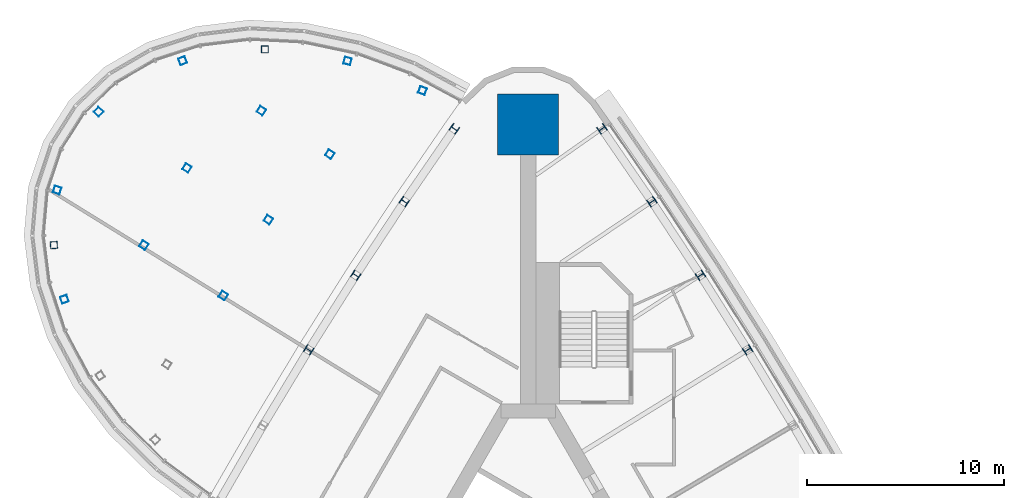
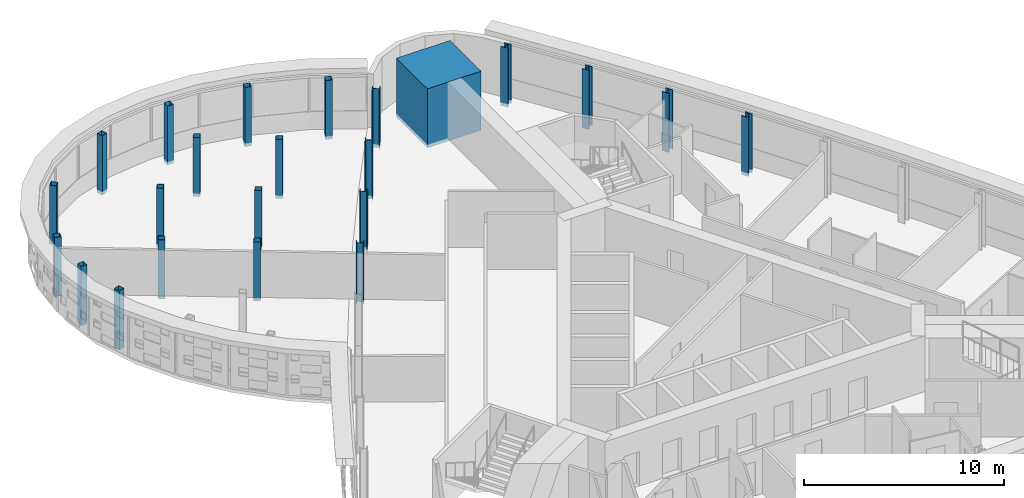
# One storey, part 3 of 16: 23 columns.
"""IFC4 building model written with IfcOpenShell, lengths in metres."""

from ifc_helpers import new_model, si_unit, direction, frame, origin, origin_2d, place, context, subcontext, project, spatial, rectangle, hollow_rectangle, i_section, extrude, material, material_profile, profile_set, type_object, element, save


model = new_model("IFC4")

# Units and contexts
model_context = context("Model", 3, precision=1e-05, world=origin(), true_north=direction((0.0, 1.0)))
body_context = subcontext(model_context, "Body", "Model", "MODEL_VIEW")
ifc_project = project(units=[si_unit("LENGTHUNIT", "METRE"), si_unit("AREAUNIT", "SQUARE_METRE"), si_unit("VOLUMEUNIT", "CUBIC_METRE"), si_unit("PLANEANGLEUNIT", "RADIAN"), si_unit("MASSUNIT", "GRAM", prefix="KILO")], contexts=[model_context])

# Site, building, storey
site_placement = place(None, origin())
site = spatial("IfcSite", under=ifc_project, at=site_placement, CompositionType="ELEMENT")
building_placement = place(site_placement, origin())
building = spatial("IfcBuilding", under=site, at=building_placement, Name="Noor Cloister Tower", CompositionType="ELEMENT")
storey_placement = place(building_placement, frame((0.0, 0.0, 91.5)))
storey = spatial("IfcBuildingStorey", under=building, at=storey_placement, Name="L23", CompositionType="ELEMENT", Elevation=91.5)

# Columns
ifc_material_1 = material(Name="Steel ASTM A992 Gr 50", Category="steel")
ifc_material_profile_1 = material_profile(ifc_material_1, i_section(OverallWidth=0.40087890625, OverallDepth=0.39892578125, WebThickness=0.02490234375, FlangeThickness=0.03955078125, FilletRadius=0.015380859375, at=origin_2d()), Name="W360x314")
ifc_profile_set_1 = profile_set([ifc_material_profile_1], Name="Steel ASTM A992 Gr 50")
column_type_1 = type_object("IfcColumnType", Name="Column W360x314", PredefinedType="COLUMN", material=ifc_profile_set_1)
for number, where, z_axis, x_axis, name in (
    (1, (-3.754638671875, 25.463623046875, -0.199951171875), (0.0, 0.0, 1.0), (-0.57464761374, -0.818400953092, 0.0), "Column NW 01 L23"),
    (2, (-6.2978515625, 21.7646484375, -0.199951171875), (0.0, 0.0, 1.0), (-0.558428529917, -0.829552636651, 0.0), "Column NW 02 L23"),
    (3, (-8.76806640625, 18.01611328125, -0.199951171875), (0.0, 0.0, 1.0), (-0.541993100424, -0.840382935984, 0.0), "Column NW 03 L23"),
    (4, (-11.163818359375, 14.2197265625, -0.199951171875), (0.0, 0.0, 1.0), (-0.525347692669, -0.850887655221, 0.0), "Column NW 04 L23"),
    (5, (11.163818359375, 14.2197265625, -0.199951171875), (0.0, 0.0, 1.0), (-0.525347692669, 0.850887655221, 0.0), "Column NE 07 L23"),
    (6, (8.76806640625, 18.01611328125, -0.199951171875), (0.0, 0.0, 1.0), (-0.541993100424, 0.840382935984, 0.0), "Column NE 08 L23"),
    (7, (6.2978515625, 21.7646484375, -0.199951171875), (0.0, 0.0, 1.0), (-0.558428529917, 0.829552636651, 0.0), "Column NE 09 L23"),
    (8, (3.754638671875, 25.463623046875, -0.199951171875), (0.0, 0.0, 1.0), (-0.57464761374, 0.818400953092, 0.0), "Column NE 10 L23"),
):
    element("IfcColumn", number, at=place(storey_placement, frame(where, z_axis=z_axis, x_axis=x_axis)), inside=storey, type_object=column_type_1, Name=name, PredefinedType="COLUMN", context=body_context, shape_type="SweptSolid", body=[
        extrude(i_section(OverallWidth=0.40087890625, OverallDepth=0.39892578125, WebThickness=0.02490234375, FlangeThickness=0.03955078125, FilletRadius=0.015380859375, at=origin_2d()), origin(), (0.0, 0.0, 1.0), 3.599853515625),
    ])
ifc_material_2 = material(Name="Concrete C80/95", Category="concrete")
ifc_material_profile_2 = material_profile(ifc_material_2, rectangle(XDim=3.10009765625, YDim=3.10009765625, at=origin_2d()), Name="RC 3100x3100")
ifc_profile_set_2 = profile_set([ifc_material_profile_2], Name="Concrete C80/95")
column_type_2 = type_object("IfcColumnType", Name="Corner pier 3100 x 3100 C80/95", PredefinedType="COLUMN", material=ifc_profile_set_2)
column_placement = place(storey_placement, frame((0.0, 25.68408203125, -0.199951171875), z_axis=(0.0, 0.0, 1.0), x_axis=(0.0, 1.0, 0.0)))
element("IfcColumn", 9, at=column_placement, inside=storey, type_object=column_type_2, Name="Corner pier N L23", PredefinedType="COLUMN", context=body_context, shape_type="SweptSolid", body=[
    extrude(rectangle(XDim=3.10009765625, YDim=3.10009765625, at=origin_2d()), origin(), (0.0, 0.0, 1.0), 3.599853515625),
])
ifc_material_3 = material(Name="Steel ASTM A500 Gr C", Category="steel")
ifc_material_profile_3 = material_profile(ifc_material_3, hollow_rectangle(XDim=0.35595703125, YDim=0.35595703125, WallThickness=0.0126953125, at=origin_2d()), Name="HSS355.6x355.6x12.7")
ifc_profile_set_3 = profile_set([ifc_material_profile_3], Name="Steel ASTM A500 Gr C")
column_type_3 = type_object("IfcColumnType", Name="Pod post HSS355.6x355.6x12.7", PredefinedType="COLUMN", material=ifc_profile_set_3)
for number, where, z_axis, x_axis, name in (
    (10, (-10.08447265625, 24.1708984375, -0.199951171875), (0.0, 0.0, 1.0), (-0.843995500683, 0.536350253871, 0.0), "Pod post 2 L23 line 2 node 1"),
    (11, (-13.56640625, 26.383544921875, -0.199951171875), (0.0, 0.0, 1.0), (-0.843995500683, 0.536350253871, 0.0), "Pod post 2 L23 line 2 node 2"),
    (12, (-13.2119140625, 20.840087890625, -0.199951171875), (0.0, 0.0, 1.0), (-0.843995500683, 0.536350253871, 0.0), "Pod post 2 L23 line 3 node 1"),
    (13, (-17.3544921875, 23.47265625, -0.199951171875), (0.0, 0.0, 1.0), (-0.843995500683, 0.536350253871, 0.0), "Pod post 2 L23 line 3 node 2"),
    (14, (-15.507080078125, 16.979736328125, -0.199951171875), (0.0, 0.0, 1.0), (-0.843995500683, 0.536350253871, 0.0), "Pod post 2 L23 line 4 node 1"),
    (15, (-19.5478515625, 19.5478515625, -0.199951171875), (0.0, 0.0, 1.0), (-0.843995500683, 0.536350253871, 0.0), "Pod post 2 L23 line 4 node 2"),
    (16, (-5.373046875, 27.410400390625, -0.199951171875), (0.0, 0.0, 1.0), (-0.934997461758, 0.354654404325, 0.0), "Pod post 2 L23 ring 2"),
    (17, (-9.184814453125, 28.91455078125, -0.199951171875), (0.0, 0.0, 1.0), (-0.967384048486, 0.253314237134, 0.0), "Pod post 2 L23 ring 3"),
    (18, (-13.3857421875, 29.508544921875, -0.199951171875), (0.0, 0.0, 1.0), (-0.999998491498, 0.001736951636, 0.0), "Pod post 2 L23 ring 4"),
    (19, (-17.572021484375, 28.92919921875, -0.199951171875), (0.0, 0.0, 1.0), (-0.936172595817, -0.351540710077, 0.0), "Pod post 2 L23 ring 5"),
    (20, (-21.8505859375, 26.329833984375, -0.199951171875), (0.0, 0.0, 1.0), (-0.69632321995, -0.717728342312, 0.0), "Pod post 2 L23 ring 6"),
    (21, (-23.955810546875, 22.34912109375, -0.199951171875), (0.0, 0.0, 1.0), (-0.317909141458, -0.948121183065, 0.0), "Pod post 2 L23 ring 7"),
    (22, (-24.1240234375, 19.549560546875, -0.199951171875), (0.0, 0.0, 1.0), (0.066690983869, -0.997773678081, 0.0), "Pod post 2 L23 ring 8"),
    (23, (-23.584716796875, 16.795654296875, -0.199951171875), (0.0, 0.0, 1.0), (0.335654108037, -0.941985307612, 0.0), "Pod post 2 L23 ring 9"),
):
    element("IfcColumn", number, at=place(storey_placement, frame(where, z_axis=z_axis, x_axis=x_axis)), inside=storey, type_object=column_type_3, Name=name, PredefinedType="COLUMN", context=body_context, shape_type="SweptSolid", body=[
        extrude(hollow_rectangle(XDim=0.35595703125, YDim=0.35595703125, WallThickness=0.0126953125, at=origin_2d()), origin(), (0.0, 0.0, 1.0), 3.599853515625),
    ])

save(model, "model.ifc")
